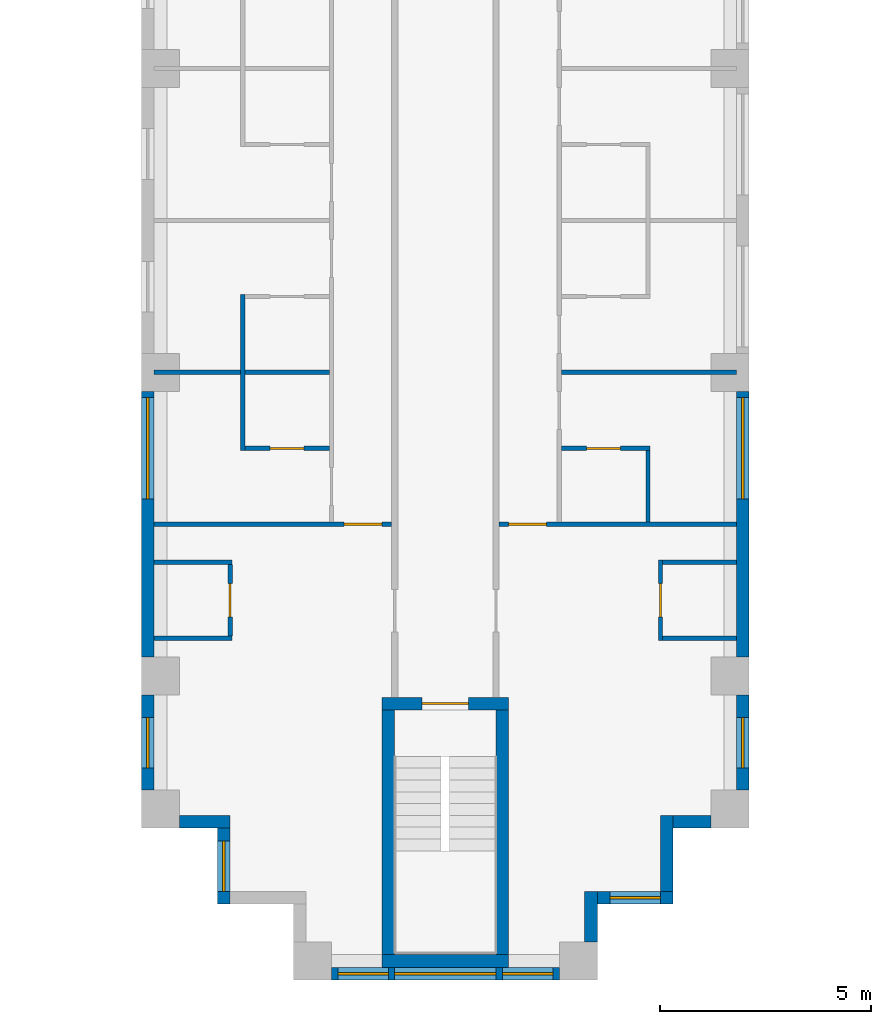
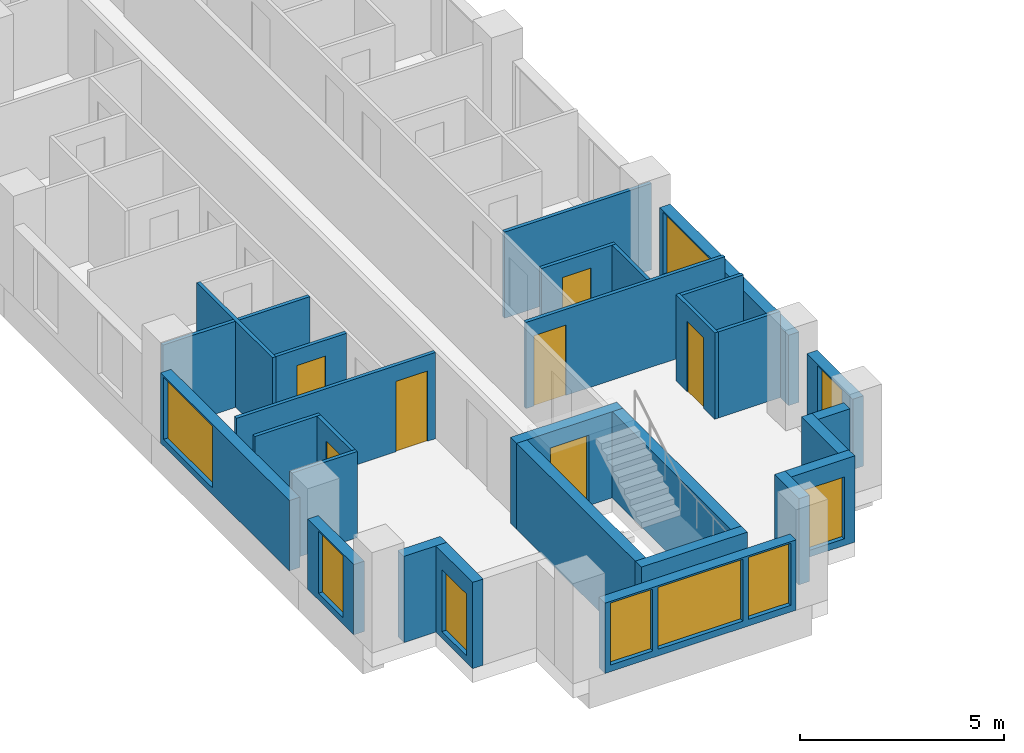
# One storey, part 3 of 16: 29 walls, 9 windows, 7 doors, 16 openings.
"""IFC4 building model written with IfcOpenShell, lengths in metres."""

from ifc_helpers import new_model, si_unit, direction, frame, frame_2d, origin, place, context, subcontext, project, spatial, rectangle, extrude, material, layer, layer_set, type_object, element, fill, save


model = new_model("IFC4")

# Units and contexts
model_context = context("Model", 3, precision=1e-05, world=origin(), true_north=direction((0.0, 1.0)))
body_context = subcontext(model_context, "Body", "Model", "MODEL_VIEW")
ifc_project = project(units=[si_unit("LENGTHUNIT", "METRE"), si_unit("AREAUNIT", "SQUARE_METRE"), si_unit("VOLUMEUNIT", "CUBIC_METRE"), si_unit("PLANEANGLEUNIT", "RADIAN"), si_unit("MASSUNIT", "GRAM", prefix="KILO")], contexts=[model_context])

# Site, building, storey
site_placement = place(None, origin())
site = spatial("IfcSite", under=ifc_project, at=site_placement, CompositionType="ELEMENT")
building_placement = place(site_placement, origin())
building = spatial("IfcBuilding", under=site, at=building_placement, Name="Fustian Cross Tower", CompositionType="ELEMENT")
storey_placement = place(building_placement, frame((0.0, 0.0, 26.699951171875)))
storey = spatial("IfcBuildingStorey", under=building, at=storey_placement, Name="L07", CompositionType="ELEMENT", Elevation=26.699951171875)

# Walls
ifc_material_1 = material(Name="Plasterboard on steel stud", Category="steel")
ifc_layer_1 = layer(ifc_material_1, 0.10009765625)
ifc_layer_set_1 = layer_set([ifc_layer_1], Name="Plasterboard on steel stud")
wall_type_1 = type_object("IfcWallType", Name="PARTITION 100 STUD", PredefinedType="PARTITIONING", material=ifc_layer_set_1)
for number, where, z_axis, x_axis, name in (
    (1, (-6.89990234375, -35.10009765625, 0.0), (0.0, 0.0, 1.0), (1.0, 0.0, 0.0), "Partition 17"),
    (2, (-6.89990234375, -33.300048828125, 0.0), (0.0, 0.0, 1.0), (1.0, 0.0, 0.0), "Partition 18"),
):
    element("IfcWall", number, at=place(storey_placement, frame(where, z_axis=z_axis, x_axis=x_axis)), inside=storey, type_object=wall_type_1, Name=name, PredefinedType="PARTITIONING", context=body_context, shape_type="SweptSolid", body=[
        extrude(rectangle(XDim=1.849853515625, YDim=0.10009765625, at=frame_2d((0.9248046875, 0.0))), origin(), (0.0, 0.0, 1.0), 2.574951171875),
    ])

# Wall, opening, door
wall_1_placement = place(storey_placement, frame((-6.89990234375, -32.39990234375, 0.0), z_axis=(0.0, 0.0, 1.0), x_axis=(1.0, 0.0, 0.0)))
wall_1 = element("IfcWall", 3, at=wall_1_placement, inside=storey, type_object=wall_type_1, Name="Partition 19", PredefinedType="PARTITIONING", context=body_context, shape_type="SweptSolid", body=[
    extrude(rectangle(XDim=5.625, YDim=0.10009765625, at=frame_2d((2.8125, 0.0))), origin(), (0.0, 0.0, 1.0), 2.574951171875),
])
opening_1_placement = place(wall_1_placement, frame((4.5, 0.0, 0.0)))
opening_1 = element("IfcOpeningElement", 4, at=opening_1_placement, cuts=wall_1, Name="Opening D05073", PredefinedType="OPENING", context=body_context, shape_type="SweptSolid", body=[
    extrude(rectangle(XDim=0.89990234375, YDim=2.10009765625, at=frame_2d((0.449951171875, 1.050048828125))), frame((0.0, 0.06005859375, 0.0), z_axis=(0.0, -1.0, 0.0), x_axis=(1.0, 0.0, 0.0)), (0.0, 0.0, 1.0), 0.1201171875),
])
ifc_material_2 = material(Name="Painted timber", Category="wood")
door_type_1 = type_object("IfcDoorType", Name="SWING DOOR 900", OperationType="SINGLE_SWING_LEFT", PredefinedType="DOOR", material=ifc_material_2)
door_1_placement = place(opening_1_placement, origin())
door_1 = element("IfcDoor", 5, at=door_1_placement, inside=storey, type_object=door_type_1, Name="Door D05073", OperationType="SINGLE_SWING_LEFT", OverallHeight=2.10009765625, OverallWidth=0.89990234375, PredefinedType="DOOR", context=body_context, shape_type="SweptSolid", body=[
    extrude(rectangle(XDim=0.89990234375, YDim=2.10009765625, at=frame_2d((0.449951171875, 1.050048828125))), frame((0.0, 0.02490234375, 0.0), z_axis=(0.0, -1.0, 0.0), x_axis=(1.0, 0.0, 0.0)), (0.0, 0.0, 1.0), 0.050048828125),
])
fill(opening_1, door_1)

# Wall
wall_2_placement = place(storey_placement, frame((-6.89990234375, -28.800048828125, 0.0), z_axis=(0.0, 0.0, 1.0), x_axis=(1.0, 0.0, 0.0)))
element("IfcWall", 6, at=wall_2_placement, inside=storey, type_object=wall_type_1, Name="Partition 20", PredefinedType="PARTITIONING", context=body_context, shape_type="SweptSolid", body=[
    extrude(rectangle(XDim=4.14990234375, YDim=0.10009765625, at=frame_2d((2.074951171875, 0.0))), origin(), (0.0, 0.0, 1.0), 2.574951171875),
])

# Wall, opening, door
wall_3_placement = place(storey_placement, frame((-5.10009765625, -35.050048828125, 0.0), z_axis=(0.0, 0.0, 1.0), x_axis=(0.0, 1.0, 0.0)))
wall_3 = element("IfcWall", 7, at=wall_3_placement, inside=storey, type_object=wall_type_1, Name="Partition 31", PredefinedType="PARTITIONING", context=body_context, shape_type="SweptSolid", body=[
    extrude(rectangle(XDim=1.699951171875, YDim=0.10009765625, at=frame_2d((0.85009765625, 0.0))), origin(), (0.0, 0.0, 1.0), 2.574951171875),
])
opening_2_placement = place(wall_3_placement, frame((0.449951171875, 0.0, 0.0)))
opening_2 = element("IfcOpeningElement", 8, at=opening_2_placement, cuts=wall_3, Name="Opening D05067", PredefinedType="OPENING", context=body_context, shape_type="SweptSolid", body=[
    extrude(rectangle(XDim=0.800048828125, YDim=2.10009765625, at=frame_2d((0.39990234375, 1.050048828125))), frame((0.0, 0.06005859375, 0.0), z_axis=(0.0, -1.0, 0.0), x_axis=(1.0, 0.0, 0.0)), (0.0, 0.0, 1.0), 0.1201171875),
])
ifc_material_3 = material(Name="Painted timber", Category="wood")
door_type_2 = type_object("IfcDoorType", Name="SWING DOOR 800", OperationType="SINGLE_SWING_LEFT", PredefinedType="DOOR", material=ifc_material_3)
door_2_placement = place(opening_2_placement, origin())
door_2 = element("IfcDoor", 9, at=door_2_placement, inside=storey, type_object=door_type_2, Name="Door D05067", OperationType="SINGLE_SWING_RIGHT", OverallHeight=2.10009765625, OverallWidth=0.800048828125, PredefinedType="DOOR", context=body_context, shape_type="SweptSolid", body=[
    extrude(rectangle(XDim=0.800048828125, YDim=2.10009765625, at=frame_2d((0.39990234375, 1.050048828125))), frame((0.0, 0.02490234375, 0.0), z_axis=(0.0, -1.0, 0.0), x_axis=(1.0, 0.0, 0.0)), (0.0, 0.0, 1.0), 0.050048828125),
])
fill(opening_2, door_2)

# Wall
wall_4_placement = place(storey_placement, frame((-4.800048828125, -30.64990234375, 0.0), z_axis=(0.0, 0.0, 1.0), x_axis=(0.0, 1.0, 0.0)))
element("IfcWall", 10, at=wall_4_placement, inside=storey, type_object=wall_type_1, Name="Partition 33", PredefinedType="PARTITIONING", context=body_context, shape_type="SweptSolid", body=[
    extrude(rectangle(XDim=3.699951171875, YDim=0.10009765625, at=frame_2d((1.85009765625, 0.0))), origin(), (0.0, 0.0, 1.0), 2.574951171875),
])

# Wall, opening, door
wall_5_placement = place(storey_placement, frame((-4.75, -30.60009765625, 0.0), z_axis=(0.0, 0.0, 1.0), x_axis=(1.0, 0.0, 0.0)))
wall_5 = element("IfcWall", 11, at=wall_5_placement, inside=storey, type_object=wall_type_1, Name="Partition 34", PredefinedType="PARTITIONING", context=body_context, shape_type="SweptSolid", body=[
    extrude(rectangle(XDim=2.0, YDim=0.10009765625, at=frame_2d((1.0, 0.0))), origin(), (0.0, 0.0, 1.0), 2.574951171875),
])
opening_3_placement = place(wall_5_placement, frame((0.60009765625, 0.0, 0.0)))
opening_3 = element("IfcOpeningElement", 12, at=opening_3_placement, cuts=wall_5, Name="Opening D05077", PredefinedType="OPENING", context=body_context, shape_type="SweptSolid", body=[
    extrude(rectangle(XDim=0.800048828125, YDim=2.10009765625, at=frame_2d((0.39990234375, 1.050048828125))), frame((0.0, 0.06005859375, 0.0), z_axis=(0.0, -1.0, 0.0), x_axis=(1.0, 0.0, 0.0)), (0.0, 0.0, 1.0), 0.1201171875),
])
door_3_placement = place(opening_3_placement, origin())
door_3 = element("IfcDoor", 13, at=door_3_placement, inside=storey, type_object=door_type_2, Name="Door D05077", OperationType="SINGLE_SWING_LEFT", OverallHeight=2.10009765625, OverallWidth=0.800048828125, PredefinedType="DOOR", context=body_context, shape_type="SweptSolid", body=[
    extrude(rectangle(XDim=0.800048828125, YDim=2.10009765625, at=frame_2d((0.39990234375, 1.050048828125))), frame((0.0, 0.02490234375, 0.0), z_axis=(0.0, -1.0, 0.0), x_axis=(1.0, 0.0, 0.0)), (0.0, 0.0, 1.0), 0.050048828125),
])
fill(opening_3, door_3)

wall_6_placement = place(storey_placement, frame((1.27490234375, -32.39990234375, 0.0), z_axis=(0.0, 0.0, 1.0), x_axis=(1.0, 0.0, 0.0)))
wall_6 = element("IfcWall", 14, at=wall_6_placement, inside=storey, type_object=wall_type_1, Name="Partition 54", PredefinedType="PARTITIONING", context=body_context, shape_type="SweptSolid", body=[
    extrude(rectangle(XDim=5.625, YDim=0.10009765625, at=frame_2d((2.8125, 0.0))), origin(), (0.0, 0.0, 1.0), 2.574951171875),
])
opening_4_placement = place(wall_6_placement, frame((0.22509765625, 0.0, 0.0)))
opening_4 = element("IfcOpeningElement", 15, at=opening_4_placement, cuts=wall_6, Name="Opening D05053", PredefinedType="OPENING", context=body_context, shape_type="SweptSolid", body=[
    extrude(rectangle(XDim=0.89990234375, YDim=2.10009765625, at=frame_2d((0.449951171875, 1.050048828125))), frame((0.0, 0.06005859375, 0.0), z_axis=(0.0, -1.0, 0.0), x_axis=(1.0, 0.0, 0.0)), (0.0, 0.0, 1.0), 0.1201171875),
])
door_4_placement = place(opening_4_placement, origin())
door_4 = element("IfcDoor", 16, at=door_4_placement, inside=storey, type_object=door_type_1, Name="Door D05053", OperationType="SINGLE_SWING_LEFT", OverallHeight=2.10009765625, OverallWidth=0.89990234375, PredefinedType="DOOR", context=body_context, shape_type="SweptSolid", body=[
    extrude(rectangle(XDim=0.89990234375, YDim=2.10009765625, at=frame_2d((0.449951171875, 1.050048828125))), frame((0.0, 0.02490234375, 0.0), z_axis=(0.0, -1.0, 0.0), x_axis=(1.0, 0.0, 0.0)), (0.0, 0.0, 1.0), 0.050048828125),
])
fill(opening_4, door_4)

wall_7_placement = place(storey_placement, frame((2.75, -30.60009765625, 0.0), z_axis=(0.0, 0.0, 1.0), x_axis=(1.0, 0.0, 0.0)))
wall_7 = element("IfcWall", 17, at=wall_7_placement, inside=storey, type_object=wall_type_1, Name="Partition 65", PredefinedType="PARTITIONING", context=body_context, shape_type="SweptSolid", body=[
    extrude(rectangle(XDim=2.10009765625, YDim=0.10009765625, at=frame_2d((1.050048828125, 0.0))), origin(), (0.0, 0.0, 1.0), 2.574951171875),
])
opening_5_placement = place(wall_7_placement, frame((0.60009765625, 0.0, 0.0)))
opening_5 = element("IfcOpeningElement", 18, at=opening_5_placement, cuts=wall_7, Name="Opening D05063", PredefinedType="OPENING", context=body_context, shape_type="SweptSolid", body=[
    extrude(rectangle(XDim=0.800048828125, YDim=2.10009765625, at=frame_2d((0.39990234375, 1.050048828125))), frame((0.0, 0.06005859375, 0.0), z_axis=(0.0, -1.0, 0.0), x_axis=(1.0, 0.0, 0.0)), (0.0, 0.0, 1.0), 0.1201171875),
])
door_5_placement = place(opening_5_placement, frame((0.800048828125, 0.0, 0.0), z_axis=(0.0, 0.0, 1.0), x_axis=(-1.0, 0.0, 0.0)))
door_5 = element("IfcDoor", 19, at=door_5_placement, inside=storey, type_object=door_type_2, Name="Door D05063", OperationType="SINGLE_SWING_RIGHT", OverallHeight=2.10009765625, OverallWidth=0.800048828125, PredefinedType="DOOR", context=body_context, shape_type="SweptSolid", body=[
    extrude(rectangle(XDim=0.800048828125, YDim=2.10009765625, at=frame_2d((0.39990234375, 1.050048828125))), frame((0.0, 0.02490234375, 0.0), z_axis=(0.0, -1.0, 0.0), x_axis=(1.0, 0.0, 0.0)), (0.0, 0.0, 1.0), 0.050048828125),
])
fill(opening_5, door_5)

# Walls
wall_8_placement = place(storey_placement, frame((2.75, -28.800048828125, 0.0), z_axis=(0.0, 0.0, 1.0), x_axis=(1.0, 0.0, 0.0)))
element("IfcWall", 20, at=wall_8_placement, inside=storey, type_object=wall_type_1, Name="Partition 66", PredefinedType="PARTITIONING", context=body_context, shape_type="SweptSolid", body=[
    extrude(rectangle(XDim=4.14990234375, YDim=0.10009765625, at=frame_2d((2.074951171875, 0.0))), origin(), (0.0, 0.0, 1.0), 2.574951171875),
])
wall_9_placement = place(storey_placement, frame((4.800048828125, -32.35009765625, 0.0), z_axis=(0.0, 0.0, 1.0), x_axis=(0.0, 1.0, 0.0)))
element("IfcWall", 21, at=wall_9_placement, inside=storey, type_object=wall_type_1, Name="Partition 80", PredefinedType="PARTITIONING", context=body_context, shape_type="SweptSolid", body=[
    extrude(rectangle(XDim=1.7001953125, YDim=0.10009765625, at=frame_2d((0.85009765625, 0.0))), origin(), (0.0, 0.0, 1.0), 2.574951171875),
])

# Wall, opening, door
wall_10_placement = place(storey_placement, frame((5.10009765625, -35.14990234375, 0.0), z_axis=(0.0, 0.0, 1.0), x_axis=(0.0, 1.0, 0.0)))
wall_10 = element("IfcWall", 22, at=wall_10_placement, inside=storey, type_object=wall_type_1, Name="Partition 85", PredefinedType="PARTITIONING", context=body_context, shape_type="SweptSolid", body=[
    extrude(rectangle(XDim=1.89990234375, YDim=0.10009765625, at=frame_2d((0.949951171875, 0.0))), origin(), (0.0, 0.0, 1.0), 2.574951171875),
])
opening_6_placement = place(wall_10_placement, frame((0.550048828125, 0.0, 0.0)))
opening_6 = element("IfcOpeningElement", 23, at=opening_6_placement, cuts=wall_10, Name="Opening D05051", PredefinedType="OPENING", context=body_context, shape_type="SweptSolid", body=[
    extrude(rectangle(XDim=0.800048828125, YDim=2.10009765625, at=frame_2d((0.39990234375, 1.050048828125))), frame((0.0, 0.06005859375, 0.0), z_axis=(0.0, -1.0, 0.0), x_axis=(1.0, 0.0, 0.0)), (0.0, 0.0, 1.0), 0.1201171875),
])
door_6_placement = place(opening_6_placement, frame((0.800048828125, 0.0, 0.0), z_axis=(0.0, 0.0, 1.0), x_axis=(-1.0, 0.0, 0.0)))
door_6 = element("IfcDoor", 24, at=door_6_placement, inside=storey, type_object=door_type_2, Name="Door D05051", OperationType="SINGLE_SWING_LEFT", OverallHeight=2.10009765625, OverallWidth=0.800048828125, PredefinedType="DOOR", context=body_context, shape_type="SweptSolid", body=[
    extrude(rectangle(XDim=0.800048828125, YDim=2.10009765625, at=frame_2d((0.39990234375, 1.050048828125))), frame((0.0, 0.02490234375, 0.0), z_axis=(0.0, -1.0, 0.0), x_axis=(1.0, 0.0, 0.0)), (0.0, 0.0, 1.0), 0.050048828125),
])
fill(opening_6, door_6)

# Walls
for number, where, z_axis, x_axis, name in (
    (25, (5.14990234375, -35.10009765625, 0.0), (0.0, 0.0, 1.0), (1.0, 0.0, 0.0), "Partition 86"),
    (26, (5.14990234375, -33.300048828125, 0.0), (0.0, 0.0, 1.0), (1.0, 0.0, 0.0), "Partition 87"),
):
    element("IfcWall", number, at=place(storey_placement, frame(where, z_axis=z_axis, x_axis=x_axis)), inside=storey, type_object=wall_type_1, Name=name, PredefinedType="PARTITIONING", context=body_context, shape_type="SweptSolid", body=[
        extrude(rectangle(XDim=1.75, YDim=0.10009765625, at=frame_2d((0.875, 0.0))), origin(), (0.0, 0.0, 1.0), 2.574951171875),
    ])

# Wall, opening, door
ifc_material_4 = material(Name="Concrete C50/60", Category="concrete")
ifc_layer_2 = layer(ifc_material_4, 0.300048828125)
ifc_layer_set_2 = layer_set([ifc_layer_2], Name="Concrete C50/60")
wall_type_2 = type_object("IfcWallType", Name="STAIR ENCLOSURE WALL 300 C50/60", PredefinedType="SHEAR", material=ifc_layer_set_2)
wall_11_placement = place(storey_placement, frame((-1.5, -36.64990234375, 0.0), z_axis=(0.0, 0.0, 1.0), x_axis=(1.0, 0.0, 0.0)))
wall_11 = element("IfcWall", 27, at=wall_11_placement, inside=storey, type_object=wall_type_2, Name="Stair enclosure wall", PredefinedType="SHEAR", context=body_context, shape_type="SweptSolid", body=[
    extrude(rectangle(XDim=3.0, YDim=0.300048828125, at=frame_2d((1.5, 0.0))), origin(), (0.0, 0.0, 1.0), 2.574951171875),
])
opening_7_placement = place(wall_11_placement, frame((0.949951171875, 0.0, 0.0)))
opening_7 = element("IfcOpeningElement", 28, at=opening_7_placement, cuts=wall_11, Name="Opening CD-05-32", PredefinedType="OPENING", context=body_context, shape_type="SweptSolid", body=[
    extrude(rectangle(XDim=1.10009765625, YDim=2.10009765625, at=frame_2d((0.550048828125, 1.050048828125))), frame((0.0, 0.159912109375, 0.0), z_axis=(0.0, -1.0, 0.0), x_axis=(1.0, 0.0, 0.0)), (0.0, 0.0, 1.0), 0.320068359375),
])
ifc_material_5 = material(Name="Steel", Category="steel")
door_type_3 = type_object("IfcDoorType", Name="FIRE DOOR FD60S 1100X2100", OperationType="SINGLE_SWING_LEFT", PredefinedType="DOOR", material=ifc_material_5)
door_7_placement = place(opening_7_placement, frame((1.10009765625, 0.0, 0.0), z_axis=(0.0, 0.0, 1.0), x_axis=(-1.0, 0.0, 0.0)))
door_7 = element("IfcDoor", 29, at=door_7_placement, inside=storey, type_object=door_type_3, Name="Core door CD-05-32", OperationType="SINGLE_SWING_RIGHT", OverallHeight=2.10009765625, OverallWidth=1.10009765625, PredefinedType="DOOR", context=body_context, shape_type="SweptSolid", body=[
    extrude(rectangle(XDim=1.10009765625, YDim=2.10009765625, at=frame_2d((0.550048828125, 1.050048828125))), frame((0.0, 0.02490234375, 0.0), z_axis=(0.0, -1.0, 0.0), x_axis=(1.0, 0.0, 0.0)), (0.0, 0.0, 1.0), 0.050048828125),
])
fill(opening_7, door_7)

# Walls
wall_12_placement = place(storey_placement, frame((-1.5, -42.75, 0.0), z_axis=(0.0, 0.0, 1.0), x_axis=(1.0, 0.0, 0.0)))
element("IfcWall", 30, at=wall_12_placement, inside=storey, type_object=wall_type_2, Name="Stair enclosure wall", PredefinedType="SHEAR", context=body_context, shape_type="SweptSolid", body=[
    extrude(rectangle(XDim=3.0, YDim=0.300048828125, at=frame_2d((1.5, 0.0))), origin(), (0.0, 0.0, 1.0), 2.574951171875),
])
for number, where, z_axis, x_axis, name in (
    (31, (-1.35009765625, -36.800048828125, 0.0), (0.0, 0.0, 1.0), (0.0, -1.0, 0.0), "Stair enclosure wall"),
    (32, (1.35009765625, -36.800048828125, 0.0), (0.0, 0.0, 1.0), (0.0, -1.0, 0.0), "Stair enclosure wall"),
):
    element("IfcWall", number, at=place(storey_placement, frame(where, z_axis=z_axis, x_axis=x_axis)), inside=storey, type_object=wall_type_2, Name=name, PredefinedType="SHEAR", context=body_context, shape_type="SweptSolid", body=[
        extrude(rectangle(XDim=5.800048828125, YDim=0.300048828125, at=frame_2d((2.89990234375, 0.0))), origin(), (0.0, 0.0, 1.0), 2.574951171875),
    ])

# Wall, opening, window
ifc_material_6 = material(Name="Dark aluminium cladding on insulated backing wall", Category="aluminium")
ifc_layer_3 = layer(ifc_material_6, 0.300048828125)
ifc_layer_set_3 = layer_set([ifc_layer_3], Name="Dark aluminium cladding on insulated backing wall")
wall_type_3 = type_object("IfcWallType", Name="XW1 EXTERNAL WALL 300", PredefinedType="SOLIDWALL", material=ifc_layer_set_3)
wall_13_placement = place(storey_placement, frame((-7.050048828125, -29.25, 0.0), z_axis=(0.0, 0.0, 1.0), x_axis=(0.0, -1.0, 0.0)))
wall_13 = element("IfcWall", 33, at=wall_13_placement, inside=storey, type_object=wall_type_3, Name="External wall", PredefinedType="SOLIDWALL", context=body_context, shape_type="SweptSolid", body=[
    extrude(rectangle(XDim=6.300048828125, YDim=0.300048828125, at=frame_2d((3.14990234375, 0.0))), origin(), (0.0, 0.0, 1.0), 2.10009765625),
])
opening_8_placement = place(wall_13_placement, frame((0.14990234375, 0.0, 0.199951171875)))
opening_8 = element("IfcOpeningElement", 34, at=opening_8_placement, cuts=wall_13, Name="Opening WN1", PredefinedType="OPENING", context=body_context, shape_type="SweptSolid", body=[
    extrude(rectangle(XDim=2.39990234375, YDim=1.85009765625, at=frame_2d((1.199951171875, 0.925048828125))), frame((0.0, 0.159912109375, 0.0), z_axis=(0.0, -1.0, 0.0), x_axis=(1.0, 0.0, 0.0)), (0.0, 0.0, 1.0), 0.320068359375),
])
ifc_material_7 = material(Name="Dark anodised aluminium and double glazing", Category="aluminium")
window_type_1 = type_object("IfcWindowType", Name="WN1 WINDOW 2400X1850", PartitioningType="SINGLE_PANEL", PredefinedType="WINDOW", material=ifc_material_7)
window_1_placement = place(opening_8_placement, origin())
window_1 = element("IfcWindow", 35, at=window_1_placement, inside=storey, type_object=window_type_1, Name="Window", OverallHeight=1.85009765625, OverallWidth=2.39990234375, PartitioningType="SINGLE_PANEL", PredefinedType="WINDOW", context=body_context, shape_type="SweptSolid", body=[
    extrude(rectangle(XDim=2.39990234375, YDim=1.85009765625, at=frame_2d((1.199951171875, 0.925048828125))), frame((0.0, 0.030029296875, 0.0), z_axis=(0.0, -1.0, 0.0), x_axis=(1.0, 0.0, 0.0)), (0.0, 0.0, 1.0), 0.06005859375),
])
fill(opening_8, window_1)

wall_14_placement = place(storey_placement, frame((-7.050048828125, -36.449951171875, 0.0), z_axis=(0.0, 0.0, 1.0), x_axis=(0.0, -1.0, 0.0)))
wall_14 = element("IfcWall", 36, at=wall_14_placement, inside=storey, type_object=wall_type_3, Name="External wall", PredefinedType="SOLIDWALL", context=body_context, shape_type="SweptSolid", body=[
    extrude(rectangle(XDim=2.25, YDim=0.300048828125, at=frame_2d((1.125, 0.0))), origin(), (0.0, 0.0, 1.0), 2.10009765625),
])
opening_9_placement = place(wall_14_placement, frame((0.52490234375, 0.0, 0.199951171875)))
opening_9 = element("IfcOpeningElement", 37, at=opening_9_placement, cuts=wall_14, Name="Opening WN3", PredefinedType="OPENING", context=body_context, shape_type="SweptSolid", body=[
    extrude(rectangle(XDim=1.199951171875, YDim=1.85009765625, at=frame_2d((0.60009765625, 0.925048828125))), frame((0.0, 0.159912109375, 0.0), z_axis=(0.0, -1.0, 0.0), x_axis=(1.0, 0.0, 0.0)), (0.0, 0.0, 1.0), 0.320068359375),
])
ifc_material_8 = material(Name="Dark anodised aluminium and double glazing", Category="aluminium")
window_type_2 = type_object("IfcWindowType", Name="WN3 WINDOW 1200X1850", PartitioningType="SINGLE_PANEL", PredefinedType="WINDOW", material=ifc_material_8)
window_2_placement = place(opening_9_placement, origin())
window_2 = element("IfcWindow", 38, at=window_2_placement, inside=storey, type_object=window_type_2, Name="Window", OverallHeight=1.85009765625, OverallWidth=1.199951171875, PartitioningType="SINGLE_PANEL", PredefinedType="WINDOW", context=body_context, shape_type="SweptSolid", body=[
    extrude(rectangle(XDim=1.199951171875, YDim=1.85009765625, at=frame_2d((0.60009765625, 0.925048828125))), frame((0.0, 0.030029296875, 0.0), z_axis=(0.0, -1.0, 0.0), x_axis=(1.0, 0.0, 0.0)), (0.0, 0.0, 1.0), 0.06005859375),
])
fill(opening_9, window_2)

# Wall
wall_15_placement = place(storey_placement, frame((-6.300048828125, -39.449951171875, 0.0), z_axis=(0.0, 0.0, 1.0), x_axis=(1.0, 0.0, 0.0)))
element("IfcWall", 39, at=wall_15_placement, inside=storey, type_object=wall_type_3, Name="External wall", PredefinedType="SOLIDWALL", context=body_context, shape_type="SweptSolid", body=[
    extrude(rectangle(XDim=1.199951171875, YDim=0.300048828125, at=frame_2d((0.60009765625, 0.0))), origin(), (0.0, 0.0, 1.0), 2.574951171875),
])

# Wall, opening, window
wall_16_placement = place(storey_placement, frame((-5.25, -39.60009765625, 0.0), z_axis=(0.0, 0.0, 1.0), x_axis=(0.0, -1.0, 0.0)))
wall_16 = element("IfcWall", 40, at=wall_16_placement, inside=storey, type_object=wall_type_3, Name="External wall", PredefinedType="SOLIDWALL", context=body_context, shape_type="SweptSolid", body=[
    extrude(rectangle(XDim=1.7998046875, YDim=0.300048828125, at=frame_2d((0.89990234375, 0.0))), origin(), (0.0, 0.0, 1.0), 2.574951171875),
])
opening_10_placement = place(wall_16_placement, frame((0.300048828125, 0.0, 0.199951171875)))
opening_10 = element("IfcOpeningElement", 41, at=opening_10_placement, cuts=wall_16, Name="Opening WN3", PredefinedType="OPENING", context=body_context, shape_type="SweptSolid", body=[
    extrude(rectangle(XDim=1.199951171875, YDim=1.85009765625, at=frame_2d((0.60009765625, 0.925048828125))), frame((0.0, 0.159912109375, 0.0), z_axis=(0.0, -1.0, 0.0), x_axis=(1.0, 0.0, 0.0)), (0.0, 0.0, 1.0), 0.320068359375),
])
window_3_placement = place(opening_10_placement, origin())
window_3 = element("IfcWindow", 42, at=window_3_placement, inside=storey, type_object=window_type_2, Name="Window", OverallHeight=1.85009765625, OverallWidth=1.199951171875, PartitioningType="SINGLE_PANEL", PredefinedType="WINDOW", context=body_context, shape_type="SweptSolid", body=[
    extrude(rectangle(XDim=1.199951171875, YDim=1.85009765625, at=frame_2d((0.60009765625, 0.925048828125))), frame((0.0, 0.030029296875, 0.0), z_axis=(0.0, -1.0, 0.0), x_axis=(1.0, 0.0, 0.0)), (0.0, 0.0, 1.0), 0.06005859375),
])
fill(opening_10, window_3)

# Wall, openings, windows
wall_17_placement = place(storey_placement, frame((-2.699951171875, -43.050048828125, 0.0), z_axis=(0.0, 0.0, 1.0), x_axis=(1.0, 0.0, 0.0)))
wall_17 = element("IfcWall", 43, at=wall_17_placement, inside=storey, type_object=wall_type_3, Name="External wall", PredefinedType="SOLIDWALL", context=body_context, shape_type="SweptSolid", body=[
    extrude(rectangle(XDim=5.39990234375, YDim=0.300048828125, at=frame_2d((2.699951171875, 0.0))), origin(), (0.0, 0.0, 1.0), 2.10009765625),
])
opening_11_placement = place(wall_17_placement, frame((1.5, 0.0, 0.199951171875)))
opening_11 = element("IfcOpeningElement", 44, at=opening_11_placement, cuts=wall_17, Name="Opening WN1", PredefinedType="OPENING", context=body_context, shape_type="SweptSolid", body=[
    extrude(rectangle(XDim=2.39990234375, YDim=1.85009765625, at=frame_2d((1.199951171875, 0.925048828125))), frame((0.0, 0.159912109375, 0.0), z_axis=(0.0, -1.0, 0.0), x_axis=(1.0, 0.0, 0.0)), (0.0, 0.0, 1.0), 0.320068359375),
])
opening_12_placement = place(wall_17_placement, frame((0.14990234375, 0.0, 0.199951171875)))
opening_12 = element("IfcOpeningElement", 45, at=opening_12_placement, cuts=wall_17, Name="Opening WN3", PredefinedType="OPENING", context=body_context, shape_type="SweptSolid", body=[
    extrude(rectangle(XDim=1.199951171875, YDim=1.85009765625, at=frame_2d((0.60009765625, 0.925048828125))), frame((0.0, 0.159912109375, 0.0), z_axis=(0.0, -1.0, 0.0), x_axis=(1.0, 0.0, 0.0)), (0.0, 0.0, 1.0), 0.320068359375),
])
opening_13_placement = place(wall_17_placement, frame((4.050048828125, 0.0, 0.199951171875)))
opening_13 = element("IfcOpeningElement", 46, at=opening_13_placement, cuts=wall_17, Name="Opening WN3", PredefinedType="OPENING", context=body_context, shape_type="SweptSolid", body=[
    extrude(rectangle(XDim=1.199951171875, YDim=1.85009765625, at=frame_2d((0.60009765625, 0.925048828125))), frame((0.0, 0.159912109375, 0.0), z_axis=(0.0, -1.0, 0.0), x_axis=(1.0, 0.0, 0.0)), (0.0, 0.0, 1.0), 0.320068359375),
])
window_4_placement = place(opening_11_placement, origin())
window_4 = element("IfcWindow", 47, at=window_4_placement, inside=storey, type_object=window_type_1, Name="Window", OverallHeight=1.85009765625, OverallWidth=2.39990234375, PartitioningType="SINGLE_PANEL", PredefinedType="WINDOW", context=body_context, shape_type="SweptSolid", body=[
    extrude(rectangle(XDim=2.39990234375, YDim=1.85009765625, at=frame_2d((1.199951171875, 0.925048828125))), frame((0.0, 0.030029296875, 0.0), z_axis=(0.0, -1.0, 0.0), x_axis=(1.0, 0.0, 0.0)), (0.0, 0.0, 1.0), 0.06005859375),
])
fill(opening_11, window_4)
window_5_placement = place(opening_12_placement, origin())
window_5 = element("IfcWindow", 48, at=window_5_placement, inside=storey, type_object=window_type_2, Name="Window", OverallHeight=1.85009765625, OverallWidth=1.199951171875, PartitioningType="SINGLE_PANEL", PredefinedType="WINDOW", context=body_context, shape_type="SweptSolid", body=[
    extrude(rectangle(XDim=1.199951171875, YDim=1.85009765625, at=frame_2d((0.60009765625, 0.925048828125))), frame((0.0, 0.030029296875, 0.0), z_axis=(0.0, -1.0, 0.0), x_axis=(1.0, 0.0, 0.0)), (0.0, 0.0, 1.0), 0.06005859375),
])
fill(opening_12, window_5)
window_6_placement = place(opening_13_placement, origin())
window_6 = element("IfcWindow", 49, at=window_6_placement, inside=storey, type_object=window_type_2, Name="Window", OverallHeight=1.85009765625, OverallWidth=1.199951171875, PartitioningType="SINGLE_PANEL", PredefinedType="WINDOW", context=body_context, shape_type="SweptSolid", body=[
    extrude(rectangle(XDim=1.199951171875, YDim=1.85009765625, at=frame_2d((0.60009765625, 0.925048828125))), frame((0.0, 0.030029296875, 0.0), z_axis=(0.0, -1.0, 0.0), x_axis=(1.0, 0.0, 0.0)), (0.0, 0.0, 1.0), 0.06005859375),
])
fill(opening_13, window_6)

# Wall
wall_18_placement = place(storey_placement, frame((3.449951171875, -42.300048828125, 0.0), z_axis=(0.0, 0.0, 1.0), x_axis=(0.0, 1.0, 0.0)))
element("IfcWall", 50, at=wall_18_placement, inside=storey, type_object=wall_type_3, Name="External wall", PredefinedType="SOLIDWALL", context=body_context, shape_type="SweptSolid", body=[
    extrude(rectangle(XDim=1.199951171875, YDim=0.300048828125, at=frame_2d((0.60009765625, 0.0))), origin(), (0.0, 0.0, 1.0), 2.574951171875),
])

# Wall, opening, window
wall_19_placement = place(storey_placement, frame((3.60009765625, -41.25, 0.0), z_axis=(0.0, 0.0, 1.0), x_axis=(1.0, 0.0, 0.0)))
wall_19 = element("IfcWall", 51, at=wall_19_placement, inside=storey, type_object=wall_type_3, Name="External wall", PredefinedType="SOLIDWALL", context=body_context, shape_type="SweptSolid", body=[
    extrude(rectangle(XDim=1.7998046875, YDim=0.300048828125, at=frame_2d((0.89990234375, 0.0))), origin(), (0.0, 0.0, 1.0), 2.574951171875),
])
opening_14_placement = place(wall_19_placement, frame((0.300048828125, 0.0, 0.199951171875)))
opening_14 = element("IfcOpeningElement", 52, at=opening_14_placement, cuts=wall_19, Name="Opening WN3", PredefinedType="OPENING", context=body_context, shape_type="SweptSolid", body=[
    extrude(rectangle(XDim=1.199951171875, YDim=1.85009765625, at=frame_2d((0.60009765625, 0.925048828125))), frame((0.0, 0.159912109375, 0.0), z_axis=(0.0, -1.0, 0.0), x_axis=(1.0, 0.0, 0.0)), (0.0, 0.0, 1.0), 0.320068359375),
])
window_7_placement = place(opening_14_placement, origin())
window_7 = element("IfcWindow", 53, at=window_7_placement, inside=storey, type_object=window_type_2, Name="Window", OverallHeight=1.85009765625, OverallWidth=1.199951171875, PartitioningType="SINGLE_PANEL", PredefinedType="WINDOW", context=body_context, shape_type="SweptSolid", body=[
    extrude(rectangle(XDim=1.199951171875, YDim=1.85009765625, at=frame_2d((0.60009765625, 0.925048828125))), frame((0.0, 0.030029296875, 0.0), z_axis=(0.0, -1.0, 0.0), x_axis=(1.0, 0.0, 0.0)), (0.0, 0.0, 1.0), 0.06005859375),
])
fill(opening_14, window_7)

# Walls
wall_20_placement = place(storey_placement, frame((5.25, -41.10009765625, 0.0), z_axis=(0.0, 0.0, 1.0), x_axis=(0.0, 1.0, 0.0)))
element("IfcWall", 54, at=wall_20_placement, inside=storey, type_object=wall_type_3, Name="External wall", PredefinedType="SOLIDWALL", context=body_context, shape_type="SweptSolid", body=[
    extrude(rectangle(XDim=1.800048828125, YDim=0.300048828125, at=frame_2d((0.89990234375, 0.0))), origin(), (0.0, 0.0, 1.0), 2.574951171875),
])
wall_21_placement = place(storey_placement, frame((5.39990234375, -39.449951171875, 0.0), z_axis=(0.0, 0.0, 1.0), x_axis=(1.0, 0.0, 0.0)))
element("IfcWall", 55, at=wall_21_placement, inside=storey, type_object=wall_type_3, Name="External wall", PredefinedType="SOLIDWALL", context=body_context, shape_type="SweptSolid", body=[
    extrude(rectangle(XDim=0.900146484375, YDim=0.300048828125, at=frame_2d((0.4501953125, 0.0))), origin(), (0.0, 0.0, 1.0), 2.574951171875),
])

# Wall, opening, window
wall_22_placement = place(storey_placement, frame((7.050048828125, -38.699951171875, 0.0), z_axis=(0.0, 0.0, 1.0), x_axis=(0.0, 1.0, 0.0)))
wall_22 = element("IfcWall", 56, at=wall_22_placement, inside=storey, type_object=wall_type_3, Name="External wall", PredefinedType="SOLIDWALL", context=body_context, shape_type="SweptSolid", body=[
    extrude(rectangle(XDim=2.25, YDim=0.300048828125, at=frame_2d((1.125, 0.0))), origin(), (0.0, 0.0, 1.0), 2.10009765625),
])
opening_15_placement = place(wall_22_placement, frame((0.52490234375, 0.0, 0.199951171875)))
opening_15 = element("IfcOpeningElement", 57, at=opening_15_placement, cuts=wall_22, Name="Opening WN3", PredefinedType="OPENING", context=body_context, shape_type="SweptSolid", body=[
    extrude(rectangle(XDim=1.199951171875, YDim=1.85009765625, at=frame_2d((0.60009765625, 0.925048828125))), frame((0.0, 0.159912109375, 0.0), z_axis=(0.0, -1.0, 0.0), x_axis=(1.0, 0.0, 0.0)), (0.0, 0.0, 1.0), 0.320068359375),
])
window_8_placement = place(opening_15_placement, origin())
window_8 = element("IfcWindow", 58, at=window_8_placement, inside=storey, type_object=window_type_2, Name="Window", OverallHeight=1.85009765625, OverallWidth=1.199951171875, PartitioningType="SINGLE_PANEL", PredefinedType="WINDOW", context=body_context, shape_type="SweptSolid", body=[
    extrude(rectangle(XDim=1.199951171875, YDim=1.85009765625, at=frame_2d((0.60009765625, 0.925048828125))), frame((0.0, 0.030029296875, 0.0), z_axis=(0.0, -1.0, 0.0), x_axis=(1.0, 0.0, 0.0)), (0.0, 0.0, 1.0), 0.06005859375),
])
fill(opening_15, window_8)

wall_23_placement = place(storey_placement, frame((7.050048828125, -35.550048828125, 0.0), z_axis=(0.0, 0.0, 1.0), x_axis=(0.0, 1.0, 0.0)))
wall_23 = element("IfcWall", 59, at=wall_23_placement, inside=storey, type_object=wall_type_3, Name="External wall", PredefinedType="SOLIDWALL", context=body_context, shape_type="SweptSolid", body=[
    extrude(rectangle(XDim=6.300048828125, YDim=0.300048828125, at=frame_2d((3.14990234375, 0.0))), origin(), (0.0, 0.0, 1.0), 2.10009765625),
])
opening_16_placement = place(wall_23_placement, frame((3.75, 0.0, 0.199951171875)))
opening_16 = element("IfcOpeningElement", 60, at=opening_16_placement, cuts=wall_23, Name="Opening WN1", PredefinedType="OPENING", context=body_context, shape_type="SweptSolid", body=[
    extrude(rectangle(XDim=2.39990234375, YDim=1.85009765625, at=frame_2d((1.199951171875, 0.925048828125))), frame((0.0, 0.159912109375, 0.0), z_axis=(0.0, -1.0, 0.0), x_axis=(1.0, 0.0, 0.0)), (0.0, 0.0, 1.0), 0.320068359375),
])
window_9_placement = place(opening_16_placement, origin())
window_9 = element("IfcWindow", 61, at=window_9_placement, inside=storey, type_object=window_type_1, Name="Window", OverallHeight=1.85009765625, OverallWidth=2.39990234375, PartitioningType="SINGLE_PANEL", PredefinedType="WINDOW", context=body_context, shape_type="SweptSolid", body=[
    extrude(rectangle(XDim=2.39990234375, YDim=1.85009765625, at=frame_2d((1.199951171875, 0.925048828125))), frame((0.0, 0.030029296875, 0.0), z_axis=(0.0, -1.0, 0.0), x_axis=(1.0, 0.0, 0.0)), (0.0, 0.0, 1.0), 0.06005859375),
])
fill(opening_16, window_9)

save(model, "model.ifc")
